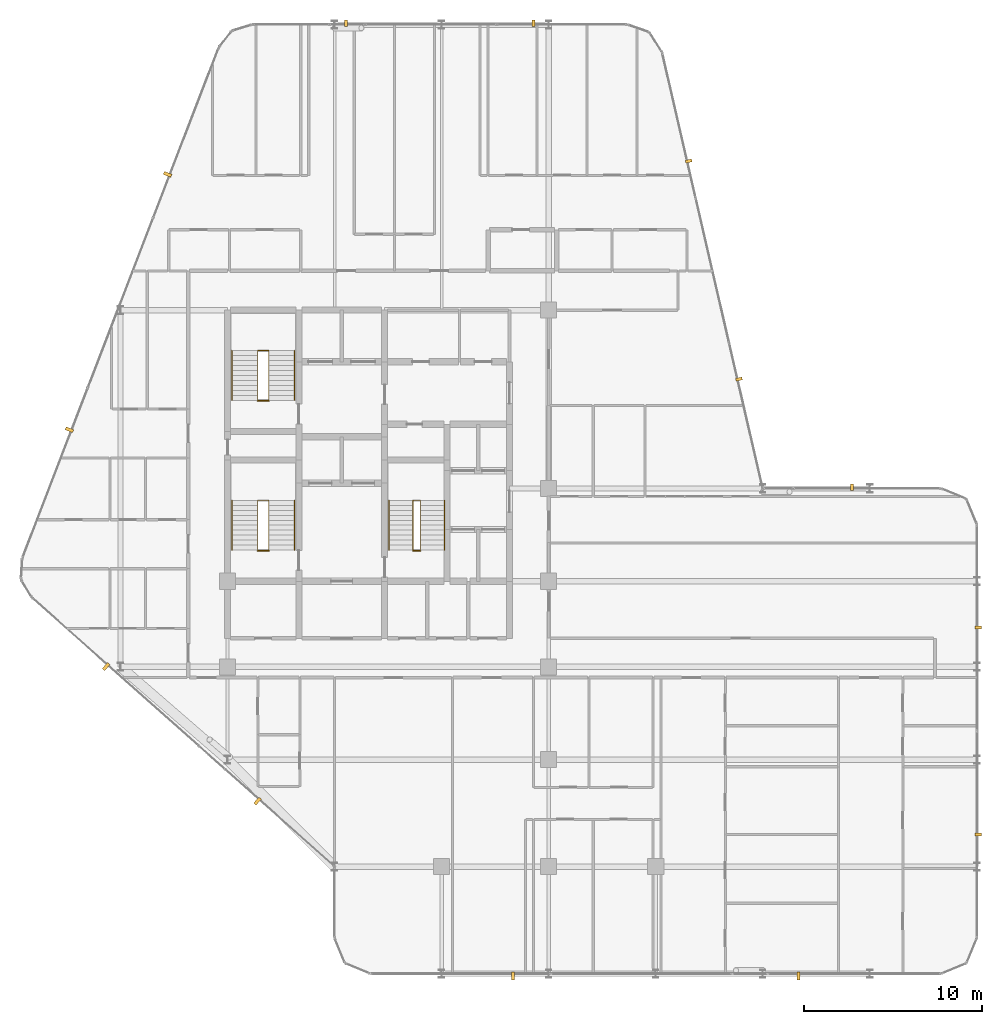
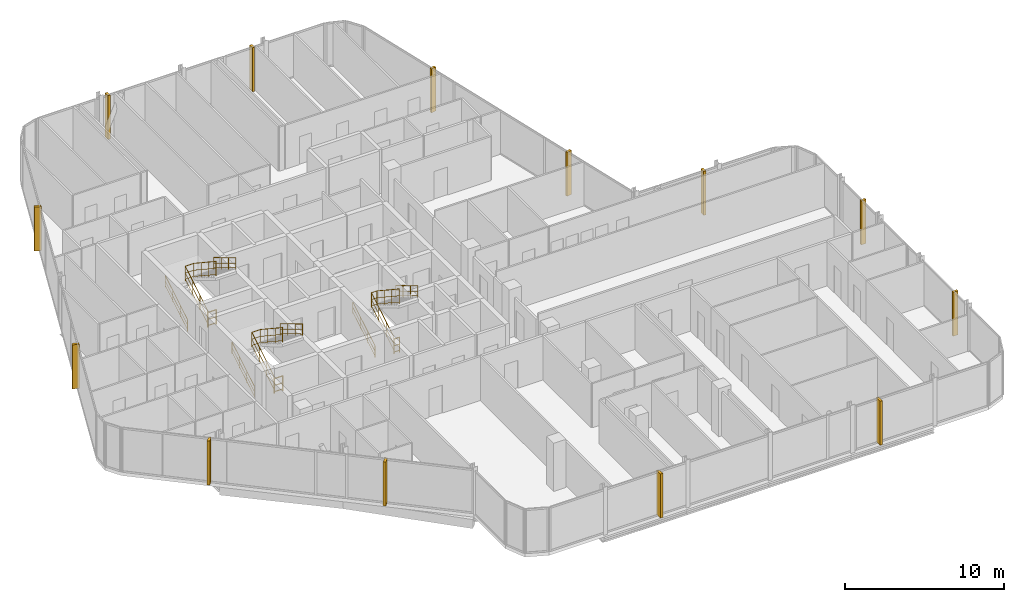
# One storey, part 29 of 29: 13 coverings, 12 railings.
"""IFC4 building model written with IfcOpenShell, lengths in metres."""

from ifc_helpers import new_model, si_unit, direction, frame, origin, origin_2d, place, context, subcontext, project, spatial, rectangle, circle, extrude, material, layer, layer_set, type_object, element, save


model = new_model("IFC4")

# Units and contexts
model_context = context("Model", 3, precision=1e-05, world=origin(), true_north=direction((0.0, 1.0)))
body_context = subcontext(model_context, "Body", "Model", "MODEL_VIEW")
ifc_project = project(units=[si_unit("LENGTHUNIT", "METRE"), si_unit("AREAUNIT", "SQUARE_METRE"), si_unit("VOLUMEUNIT", "CUBIC_METRE"), si_unit("PLANEANGLEUNIT", "RADIAN"), si_unit("MASSUNIT", "GRAM", prefix="KILO")], contexts=[model_context])

# Site, building, storey
site_placement = place(None, origin())
site = spatial("IfcSite", under=ifc_project, at=site_placement, CompositionType="ELEMENT")
building_placement = place(site_placement, origin())
building = spatial("IfcBuilding", under=site, at=building_placement, Name="Keshet Zoharim Tower", CompositionType="ELEMENT")
storey_placement = place(building_placement, frame((0.0, 0.0, 203.199951171875)))
storey = spatial("IfcBuildingStorey", under=building, at=storey_placement, Name="L50", CompositionType="ELEMENT", Elevation=203.199951171875)

# Coverings
ifc_material_1 = material(Name="Concrete C50/60 precast", Category="concrete")
covering_type_1 = type_object("IfcCoveringType", Name="FIN-SOL-360", PredefinedType="CLADDING", material=ifc_material_1)
for number, where, z_axis, x_axis, name in (
    (1, (57.080078125, 20.10009765625, 0.0), (0.0, 0.0, 1.0), (0.0, -1.0, 0.0), "L50 Vertical Precast Solar Fin 01"),
    (2, (57.080078125, 8.5, 0.0), (0.0, 0.0, 1.0), (0.0, -1.0, 0.0), "L50 Vertical Precast Solar Fin 02"),
    (3, (21.633056640625, 53.97998046875, 0.0), (0.0, 0.0, 1.0), (1.0, 0.0, 0.0), "L50 Vertical Precast Solar Fin 09"),
    (4, (32.14990234375, 53.97998046875, 0.0), (0.0, 0.0, 1.0), (1.0, 0.0, 0.0), "L50 Vertical Precast Solar Fin 10"),
    (5, (40.845947265625, 46.2548828125, 0.0), (0.0, 0.0, 1.0), (0.224847864369, -0.974393882313, 0.0), "L50 Vertical Precast Solar Fin 11"),
    (6, (43.6669921875, 34.030029296875, 0.0), (0.0, 0.0, 1.0), (0.224847864369, -0.974393882313, 0.0), "L50 Vertical Precast Solar Fin 12"),
    (7, (50.0, 27.97998046875, 0.0), (0.0, 0.0, 1.0), (1.0, 0.0, 0.0), "L50 Vertical Precast Solar Fin 13"),
):
    element("IfcCovering", number, at=place(storey_placement, frame(where, z_axis=z_axis, x_axis=x_axis)), inside=storey, type_object=covering_type_1, Name=name, PredefinedType="CLADDING", context=body_context, shape_type="SweptSolid", body=[
        extrude(rectangle(XDim=0.159912109375, YDim=0.360107421875, at=origin_2d()), origin(), (0.0, 0.0, 1.0), 3.389892578125),
    ])
covering_type_2 = type_object("IfcCoveringType", Name="FIN-SOL-450", PredefinedType="CLADDING", material=ifc_material_1)
for number, where, z_axis, x_axis, name in (
    (8, (47.0, 0.574951171875, 0.0), (0.0, 0.0, 1.0), (-1.0, 0.0, 0.0), "L50 Vertical Precast Solar Fin 03"),
    (9, (31.0, 0.574951171875, 0.0), (0.0, 0.0, 1.0), (-1.0, 0.0, 0.0), "L50 Vertical Precast Solar Fin 04"),
    (10, (16.676025390625, 10.376953125, 0.0), (0.0, 0.0, 1.0), (-0.747409318679, 0.664363838836, 0.0), "L50 Vertical Precast Solar Fin 05"),
    (11, (8.193115234375, 17.9169921875, 0.0), (0.0, 0.0, 1.0), (-0.747409318679, 0.664363838836, 0.0), "L50 Vertical Precast Solar Fin 06"),
    (12, (6.133056640625, 31.194091796875, 0.0), (0.0, 0.0, 1.0), (0.358990003907, 0.933341404361, 0.0), "L50 Vertical Precast Solar Fin 07"),
    (13, (11.637939453125, 45.507080078125, 0.0), (0.0, 0.0, 1.0), (0.358990003907, 0.933341404361, 0.0), "L50 Vertical Precast Solar Fin 08"),
):
    element("IfcCovering", number, at=place(storey_placement, frame(where, z_axis=z_axis, x_axis=x_axis)), inside=storey, type_object=covering_type_2, Name=name, PredefinedType="CLADDING", context=body_context, shape_type="SweptSolid", body=[
        extrude(rectangle(XDim=0.179931640625, YDim=0.449951171875, at=origin_2d()), origin(), (0.0, 0.0, 1.0), 3.389892578125),
    ])

# Railings
ifc_material_2 = material(Name="Steel S355", Category="steel")
ifc_layer_1 = layer(ifc_material_2, 0.050048828125)
ifc_layer_set_1 = layer_set([ifc_layer_1], Name="Steel S355")
railing_type_1 = type_object("IfcRailingType", Name="RL-HND-092", PredefinedType="HANDRAIL", material=ifc_layer_set_1)
railing_1_placement = place(storey_placement, frame((15.239990234375, 24.43994140625, 0.168212890625)))
element("IfcRailing", 14, at=railing_1_placement, inside=storey, type_object=railing_type_1, Name="L50 ST-01 Flight 1 Wall Handrail", PredefinedType="HANDRAIL", context=body_context, shape_type="SweptSolid", body=[
    extrude(circle(Radius=0.02392578125, at=origin_2d()), frame((0.0, 0.0, 0.89599609375), z_axis=(0.0, 0.857242210791, 0.514913383045), x_axis=(-1.0, 0.0, 0.0)), (0.0, 0.0, 1.0), 3.266357421875),
    extrude(circle(Radius=0.01611328125, at=origin_2d()), frame((0.0, 0.0, 0.478271484375), z_axis=(0.0, 0.857242210791, 0.514913383045), x_axis=(-1.0, 0.0, 0.0)), (0.0, 0.0, 1.0), 3.266357421875),
    extrude(circle(Radius=0.01611328125, at=origin_2d()), frame((0.0, 0.0, 0.1201171875), z_axis=(0.0, 0.857242210791, 0.514913383045), x_axis=(-1.0, 0.0, 0.0)), (0.0, 0.0, 1.0), 3.266357421875),
    extrude(circle(Radius=0.02099609375, at=origin_2d()), origin(), (0.0, 0.0, 1.0), 0.871826171875),
    extrude(circle(Radius=0.02099609375, at=origin_2d()), frame((0.0, 0.933349609375, 0.560546875)), (0.0, 0.0, 1.0), 0.871826171875),
    extrude(circle(Radius=0.02099609375, at=origin_2d()), frame((0.0, 1.86669921875, 1.121337890625)), (0.0, 0.0, 1.0), 0.871826171875),
    extrude(circle(Radius=0.02099609375, at=origin_2d()), frame((0.0, 2.800048828125, 1.681884765625)), (0.0, 0.0, 1.0), 0.871826171875),
])
railing_2_placement = place(storey_placement, frame((18.760009765625, 27.239990234375, 2.018310546875)))
element("IfcRailing", 15, at=railing_2_placement, inside=storey, type_object=railing_type_1, Name="L50 ST-01 Flight 2 Wall Handrail", PredefinedType="HANDRAIL", context=body_context, shape_type="SweptSolid", body=[
    extrude(circle(Radius=0.02392578125, at=origin_2d()), frame((0.0, 0.0, 0.89599609375), z_axis=(0.0, -0.857275202839, 0.514858452973), x_axis=(1.0, 0.0, 0.0)), (0.0, 0.0, 1.0), 3.26611328125),
    extrude(circle(Radius=0.01611328125, at=origin_2d()), frame((0.0, 0.0, 0.478271484375), z_axis=(0.0, -0.857275202839, 0.514858452973), x_axis=(1.0, 0.0, 0.0)), (0.0, 0.0, 1.0), 3.26611328125),
    extrude(circle(Radius=0.01611328125, at=origin_2d()), frame((0.0, 0.0, 0.1201171875), z_axis=(0.0, -0.857275202839, 0.514858452973), x_axis=(1.0, 0.0, 0.0)), (0.0, 0.0, 1.0), 3.26611328125),
    extrude(circle(Radius=0.02099609375, at=origin_2d()), origin(), (0.0, 0.0, 1.0), 0.871826171875),
    extrude(circle(Radius=0.02099609375, at=origin_2d()), frame((0.0, -0.933349609375, 0.560546875)), (0.0, 0.0, 1.0), 0.871826171875),
    extrude(circle(Radius=0.02099609375, at=origin_2d()), frame((0.0, -1.86669921875, 1.12109375)), (0.0, 0.0, 1.0), 0.871826171875),
    extrude(circle(Radius=0.02099609375, at=origin_2d()), frame((0.0, -2.800048828125, 1.681640625)), (0.0, 0.0, 1.0), 0.871826171875),
])
railing_3_placement = place(storey_placement, frame((15.239990234375, 32.840087890625, 0.168212890625)))
element("IfcRailing", 16, at=railing_3_placement, inside=storey, type_object=railing_type_1, Name="L50 ST-02 Flight 1 Wall Handrail", PredefinedType="HANDRAIL", context=body_context, shape_type="SweptSolid", body=[
    extrude(circle(Radius=0.02392578125, at=origin_2d()), frame((0.0, 0.0, 0.89599609375), z_axis=(0.0, 0.857222391501, 0.514946377315), x_axis=(-1.0, 0.0, 0.0)), (0.0, 0.0, 1.0), 3.26611328125),
    extrude(circle(Radius=0.01611328125, at=origin_2d()), frame((0.0, 0.0, 0.478271484375), z_axis=(0.0, 0.857222391501, 0.514946377315), x_axis=(-1.0, 0.0, 0.0)), (0.0, 0.0, 1.0), 3.26611328125),
    extrude(circle(Radius=0.01611328125, at=origin_2d()), frame((0.0, 0.0, 0.1201171875), z_axis=(0.0, 0.857222391501, 0.514946377315), x_axis=(-1.0, 0.0, 0.0)), (0.0, 0.0, 1.0), 3.26611328125),
    extrude(circle(Radius=0.02099609375, at=origin_2d()), origin(), (0.0, 0.0, 1.0), 0.871826171875),
    extrude(circle(Radius=0.02099609375, at=origin_2d()), frame((0.0, 0.933349609375, 0.560546875)), (0.0, 0.0, 1.0), 0.871826171875),
    extrude(circle(Radius=0.02099609375, at=origin_2d()), frame((0.0, 1.866455078125, 1.121337890625)), (0.0, 0.0, 1.0), 0.871826171875),
    extrude(circle(Radius=0.02099609375, at=origin_2d()), frame((0.0, 2.7998046875, 1.681884765625)), (0.0, 0.0, 1.0), 0.871826171875),
])
railing_4_placement = place(storey_placement, frame((18.760009765625, 35.639892578125, 2.018310546875)))
element("IfcRailing", 17, at=railing_4_placement, inside=storey, type_object=railing_type_1, Name="L50 ST-02 Flight 2 Wall Handrail", PredefinedType="HANDRAIL", context=body_context, shape_type="SweptSolid", body=[
    extrude(circle(Radius=0.02392578125, at=origin_2d()), frame((0.0, 0.0, 0.89599609375), z_axis=(0.0, -0.857255387014, 0.514891446264), x_axis=(1.0, 0.0, 0.0)), (0.0, 0.0, 1.0), 3.26611328125),
    extrude(circle(Radius=0.01611328125, at=origin_2d()), frame((0.0, 0.0, 0.478271484375), z_axis=(0.0, -0.857255387014, 0.514891446264), x_axis=(1.0, 0.0, 0.0)), (0.0, 0.0, 1.0), 3.26611328125),
    extrude(circle(Radius=0.01611328125, at=origin_2d()), frame((0.0, 0.0, 0.1201171875), z_axis=(0.0, -0.857255387014, 0.514891446264), x_axis=(1.0, 0.0, 0.0)), (0.0, 0.0, 1.0), 3.26611328125),
    extrude(circle(Radius=0.02099609375, at=origin_2d()), origin(), (0.0, 0.0, 1.0), 0.871826171875),
    extrude(circle(Radius=0.02099609375, at=origin_2d()), frame((0.0, -0.933349609375, 0.560546875)), (0.0, 0.0, 1.0), 0.871826171875),
    extrude(circle(Radius=0.02099609375, at=origin_2d()), frame((0.0, -1.866455078125, 1.12109375)), (0.0, 0.0, 1.0), 0.871826171875),
    extrude(circle(Radius=0.02099609375, at=origin_2d()), frame((0.0, -2.7998046875, 1.681640625)), (0.0, 0.0, 1.0), 0.871826171875),
])
railing_5_placement = place(storey_placement, frame((24.0400390625, 24.43994140625, 0.168212890625)))
element("IfcRailing", 18, at=railing_5_placement, inside=storey, type_object=railing_type_1, Name="L50 ST-03 Flight 1 Wall Handrail", PredefinedType="HANDRAIL", context=body_context, shape_type="SweptSolid", body=[
    extrude(circle(Radius=0.02392578125, at=origin_2d()), frame((0.0, 0.0, 0.89599609375), z_axis=(0.0, 0.857242210791, 0.514913383045), x_axis=(-1.0, 0.0, 0.0)), (0.0, 0.0, 1.0), 3.266357421875),
    extrude(circle(Radius=0.01611328125, at=origin_2d()), frame((0.0, 0.0, 0.478271484375), z_axis=(0.0, 0.857242210791, 0.514913383045), x_axis=(-1.0, 0.0, 0.0)), (0.0, 0.0, 1.0), 3.266357421875),
    extrude(circle(Radius=0.01611328125, at=origin_2d()), frame((0.0, 0.0, 0.1201171875), z_axis=(0.0, 0.857242210791, 0.514913383045), x_axis=(-1.0, 0.0, 0.0)), (0.0, 0.0, 1.0), 3.266357421875),
    extrude(circle(Radius=0.02099609375, at=origin_2d()), origin(), (0.0, 0.0, 1.0), 0.871826171875),
    extrude(circle(Radius=0.02099609375, at=origin_2d()), frame((0.0, 0.933349609375, 0.560546875)), (0.0, 0.0, 1.0), 0.871826171875),
    extrude(circle(Radius=0.02099609375, at=origin_2d()), frame((0.0, 1.86669921875, 1.121337890625)), (0.0, 0.0, 1.0), 0.871826171875),
    extrude(circle(Radius=0.02099609375, at=origin_2d()), frame((0.0, 2.800048828125, 1.681884765625)), (0.0, 0.0, 1.0), 0.871826171875),
])
railing_6_placement = place(storey_placement, frame((27.159912109375, 27.239990234375, 2.018310546875)))
element("IfcRailing", 19, at=railing_6_placement, inside=storey, type_object=railing_type_1, Name="L50 ST-03 Flight 2 Wall Handrail", PredefinedType="HANDRAIL", context=body_context, shape_type="SweptSolid", body=[
    extrude(circle(Radius=0.02392578125, at=origin_2d()), frame((0.0, 0.0, 0.89599609375), z_axis=(0.0, -0.857275202839, 0.514858452973), x_axis=(1.0, 0.0, 0.0)), (0.0, 0.0, 1.0), 3.26611328125),
    extrude(circle(Radius=0.01611328125, at=origin_2d()), frame((0.0, 0.0, 0.478271484375), z_axis=(0.0, -0.857275202839, 0.514858452973), x_axis=(1.0, 0.0, 0.0)), (0.0, 0.0, 1.0), 3.26611328125),
    extrude(circle(Radius=0.01611328125, at=origin_2d()), frame((0.0, 0.0, 0.1201171875), z_axis=(0.0, -0.857275202839, 0.514858452973), x_axis=(1.0, 0.0, 0.0)), (0.0, 0.0, 1.0), 3.26611328125),
    extrude(circle(Radius=0.02099609375, at=origin_2d()), origin(), (0.0, 0.0, 1.0), 0.871826171875),
    extrude(circle(Radius=0.02099609375, at=origin_2d()), frame((0.0, -0.933349609375, 0.560546875)), (0.0, 0.0, 1.0), 0.871826171875),
    extrude(circle(Radius=0.02099609375, at=origin_2d()), frame((0.0, -1.86669921875, 1.12109375)), (0.0, 0.0, 1.0), 0.871826171875),
    extrude(circle(Radius=0.02099609375, at=origin_2d()), frame((0.0, -2.800048828125, 1.681640625)), (0.0, 0.0, 1.0), 0.871826171875),
])
ifc_layer_2 = layer(ifc_material_2, 0.06005859375)
ifc_layer_set_2 = layer_set([ifc_layer_2], Name="Steel S355")
railing_type_2 = type_object("IfcRailingType", Name="RL-STG-115", PredefinedType="GUARDRAIL", material=ifc_layer_set_2)
railing_7_placement = place(storey_placement, frame((16.68994140625, 24.43994140625, 0.168212890625)))
element("IfcRailing", 20, at=railing_7_placement, inside=storey, type_object=railing_type_2, Name="L50 ST-01 Inner Well Guardrail", PredefinedType="GUARDRAIL", context=body_context, shape_type="SweptSolid", body=[
    extrude(circle(Radius=0.02392578125, at=origin_2d()), frame((0.0, 0.0, 1.1259765625), z_axis=(0.0, 0.857242210791, 0.514913383045), x_axis=(-1.0, 0.0, 0.0)), (0.0, 0.0, 1.0), 3.266357421875),
    extrude(circle(Radius=0.01611328125, at=origin_2d()), frame((0.0, 0.0, 0.597900390625), z_axis=(0.0, 0.857242210791, 0.514913383045), x_axis=(-1.0, 0.0, 0.0)), (0.0, 0.0, 1.0), 3.266357421875),
    extrude(circle(Radius=0.01611328125, at=origin_2d()), frame((0.0, 0.0, 0.1201171875), z_axis=(0.0, 0.857242210791, 0.514913383045), x_axis=(-1.0, 0.0, 0.0)), (0.0, 0.0, 1.0), 3.266357421875),
    extrude(circle(Radius=0.02392578125, at=origin_2d()), frame((0.0, 2.800048828125, 2.8076171875), z_axis=(1.0, 0.0, 0.0), x_axis=(0.0, 1.0, 0.0)), (0.0, 0.0, 1.0), 0.6201171875),
    extrude(circle(Radius=0.01611328125, at=origin_2d()), frame((0.0, 2.800048828125, 2.27978515625), z_axis=(1.0, 0.0, 0.0), x_axis=(0.0, 1.0, 0.0)), (0.0, 0.0, 1.0), 0.6201171875),
    extrude(circle(Radius=0.01611328125, at=origin_2d()), frame((0.0, 2.800048828125, 1.802001953125), z_axis=(1.0, 0.0, 0.0), x_axis=(0.0, 1.0, 0.0)), (0.0, 0.0, 1.0), 0.6201171875),
    extrude(circle(Radius=0.02392578125, at=origin_2d()), frame((0.6201171875, 2.800048828125, 2.8076171875), z_axis=(0.0, -0.83435981716, 0.551220187865), x_axis=(1.0, 0.0, 0.0)), (0.0, 0.0, 1.0), 3.35595703125),
    extrude(circle(Radius=0.01611328125, at=origin_2d()), frame((0.6201171875, 2.800048828125, 2.27978515625), z_axis=(0.0, -0.83435981716, 0.551220187865), x_axis=(1.0, 0.0, 0.0)), (0.0, 0.0, 1.0), 3.35595703125),
    extrude(circle(Radius=0.01611328125, at=origin_2d()), frame((0.6201171875, 2.800048828125, 1.802001953125), z_axis=(0.0, -0.83435981716, 0.551220187865), x_axis=(1.0, 0.0, 0.0)), (0.0, 0.0, 1.0), 3.35595703125),
    extrude(circle(Radius=0.02099609375, at=origin_2d()), origin(), (0.0, 0.0, 1.0), 1.101806640625),
    extrude(circle(Radius=0.02099609375, at=origin_2d()), frame((0.0, 0.933349609375, 0.560546875)), (0.0, 0.0, 1.0), 1.101806640625),
    extrude(circle(Radius=0.02099609375, at=origin_2d()), frame((0.0, 1.86669921875, 1.121337890625)), (0.0, 0.0, 1.0), 1.101806640625),
    extrude(circle(Radius=0.02099609375, at=origin_2d()), frame((0.0, 2.800048828125, 1.681884765625)), (0.0, 0.0, 1.0), 1.101806640625),
    extrude(circle(Radius=0.02099609375, at=origin_2d()), frame((0.6201171875, 2.800048828125, 1.681884765625)), (0.0, 0.0, 1.0), 1.101806640625),
    extrude(circle(Radius=0.02099609375, at=origin_2d()), frame((0.6201171875, 1.86669921875, 2.298583984375)), (0.0, 0.0, 1.0), 1.101806640625),
    extrude(circle(Radius=0.02099609375, at=origin_2d()), frame((0.6201171875, 0.933349609375, 2.9150390625)), (0.0, 0.0, 1.0), 1.101806640625),
    extrude(circle(Radius=0.02099609375, at=origin_2d()), frame((0.6201171875, 0.0, 3.53173828125)), (0.0, 0.0, 1.0), 1.101806640625),
])
railing_8_placement = place(storey_placement, frame((16.68994140625, 24.409912109375, 0.0)))
element("IfcRailing", 21, at=railing_8_placement, inside=storey, type_object=railing_type_2, Name="L50 ST-01 Stairwell Floor Guardrail", PredefinedType="GUARDRAIL", context=body_context, shape_type="SweptSolid", body=[
    extrude(circle(Radius=0.02392578125, at=origin_2d()), frame((0.0, 0.0, 1.1259765625), z_axis=(1.0, 0.0, 0.0), x_axis=(0.0, 1.0, 0.0)), (0.0, 0.0, 1.0), 0.6201171875),
    extrude(circle(Radius=0.01611328125, at=origin_2d()), frame((0.0, 0.0, 0.597900390625), z_axis=(1.0, 0.0, 0.0), x_axis=(0.0, 1.0, 0.0)), (0.0, 0.0, 1.0), 0.6201171875),
    extrude(circle(Radius=0.01611328125, at=origin_2d()), frame((0.0, 0.0, 0.1201171875), z_axis=(1.0, 0.0, 0.0), x_axis=(0.0, 1.0, 0.0)), (0.0, 0.0, 1.0), 0.6201171875),
    extrude(circle(Radius=0.02099609375, at=origin_2d()), origin(), (0.0, 0.0, 1.0), 1.101806640625),
    extrude(circle(Radius=0.02099609375, at=origin_2d()), frame((0.6201171875, 0.0, 0.0)), (0.0, 0.0, 1.0), 1.101806640625),
])
railing_9_placement = place(storey_placement, frame((16.68994140625, 32.840087890625, 0.168212890625)))
element("IfcRailing", 22, at=railing_9_placement, inside=storey, type_object=railing_type_2, Name="L50 ST-02 Inner Well Guardrail", PredefinedType="GUARDRAIL", context=body_context, shape_type="SweptSolid", body=[
    extrude(circle(Radius=0.02392578125, at=origin_2d()), frame((0.0, 0.0, 1.1259765625), z_axis=(0.0, 0.857222391501, 0.514946377315), x_axis=(-1.0, 0.0, 0.0)), (0.0, 0.0, 1.0), 3.26611328125),
    extrude(circle(Radius=0.01611328125, at=origin_2d()), frame((0.0, 0.0, 0.597900390625), z_axis=(0.0, 0.857222391501, 0.514946377315), x_axis=(-1.0, 0.0, 0.0)), (0.0, 0.0, 1.0), 3.26611328125),
    extrude(circle(Radius=0.01611328125, at=origin_2d()), frame((0.0, 0.0, 0.1201171875), z_axis=(0.0, 0.857222391501, 0.514946377315), x_axis=(-1.0, 0.0, 0.0)), (0.0, 0.0, 1.0), 3.26611328125),
    extrude(circle(Radius=0.02392578125, at=origin_2d()), frame((0.0, 2.7998046875, 2.8076171875), z_axis=(1.0, 0.0, 0.0), x_axis=(0.0, 1.0, 0.0)), (0.0, 0.0, 1.0), 0.6201171875),
    extrude(circle(Radius=0.01611328125, at=origin_2d()), frame((0.0, 2.7998046875, 2.27978515625), z_axis=(1.0, 0.0, 0.0), x_axis=(0.0, 1.0, 0.0)), (0.0, 0.0, 1.0), 0.6201171875),
    extrude(circle(Radius=0.01611328125, at=origin_2d()), frame((0.0, 2.7998046875, 1.802001953125), z_axis=(1.0, 0.0, 0.0), x_axis=(0.0, 1.0, 0.0)), (0.0, 0.0, 1.0), 0.6201171875),
    extrude(circle(Radius=0.02392578125, at=origin_2d()), frame((0.6201171875, 2.7998046875, 2.8076171875), z_axis=(0.0, -0.834337710781, 0.551253647941), x_axis=(1.0, 0.0, 0.0)), (0.0, 0.0, 1.0), 3.355712890625),
    extrude(circle(Radius=0.01611328125, at=origin_2d()), frame((0.6201171875, 2.7998046875, 2.27978515625), z_axis=(0.0, -0.834337710781, 0.551253647941), x_axis=(1.0, 0.0, 0.0)), (0.0, 0.0, 1.0), 3.355712890625),
    extrude(circle(Radius=0.01611328125, at=origin_2d()), frame((0.6201171875, 2.7998046875, 1.802001953125), z_axis=(0.0, -0.834337710781, 0.551253647941), x_axis=(1.0, 0.0, 0.0)), (0.0, 0.0, 1.0), 3.355712890625),
    extrude(circle(Radius=0.02099609375, at=origin_2d()), origin(), (0.0, 0.0, 1.0), 1.101806640625),
    extrude(circle(Radius=0.02099609375, at=origin_2d()), frame((0.0, 0.933349609375, 0.560546875)), (0.0, 0.0, 1.0), 1.101806640625),
    extrude(circle(Radius=0.02099609375, at=origin_2d()), frame((0.0, 1.866455078125, 1.121337890625)), (0.0, 0.0, 1.0), 1.101806640625),
    extrude(circle(Radius=0.02099609375, at=origin_2d()), frame((0.0, 2.7998046875, 1.681884765625)), (0.0, 0.0, 1.0), 1.101806640625),
    extrude(circle(Radius=0.02099609375, at=origin_2d()), frame((0.6201171875, 2.7998046875, 1.681884765625)), (0.0, 0.0, 1.0), 1.101806640625),
    extrude(circle(Radius=0.02099609375, at=origin_2d()), frame((0.6201171875, 1.866455078125, 2.298583984375)), (0.0, 0.0, 1.0), 1.101806640625),
    extrude(circle(Radius=0.02099609375, at=origin_2d()), frame((0.6201171875, 0.933349609375, 2.9150390625)), (0.0, 0.0, 1.0), 1.101806640625),
    extrude(circle(Radius=0.02099609375, at=origin_2d()), frame((0.6201171875, 0.0, 3.53173828125)), (0.0, 0.0, 1.0), 1.101806640625),
])
railing_10_placement = place(storey_placement, frame((16.68994140625, 32.81005859375, 0.0)))
element("IfcRailing", 23, at=railing_10_placement, inside=storey, type_object=railing_type_2, Name="L50 ST-02 Stairwell Floor Guardrail", PredefinedType="GUARDRAIL", context=body_context, shape_type="SweptSolid", body=[
    extrude(circle(Radius=0.02392578125, at=origin_2d()), frame((0.0, 0.0, 1.1259765625), z_axis=(1.0, 0.0, 0.0), x_axis=(0.0, 1.0, 0.0)), (0.0, 0.0, 1.0), 0.6201171875),
    extrude(circle(Radius=0.01611328125, at=origin_2d()), frame((0.0, 0.0, 0.597900390625), z_axis=(1.0, 0.0, 0.0), x_axis=(0.0, 1.0, 0.0)), (0.0, 0.0, 1.0), 0.6201171875),
    extrude(circle(Radius=0.01611328125, at=origin_2d()), frame((0.0, 0.0, 0.1201171875), z_axis=(1.0, 0.0, 0.0), x_axis=(0.0, 1.0, 0.0)), (0.0, 0.0, 1.0), 0.6201171875),
    extrude(circle(Radius=0.02099609375, at=origin_2d()), origin(), (0.0, 0.0, 1.0), 1.101806640625),
    extrude(circle(Radius=0.02099609375, at=origin_2d()), frame((0.6201171875, 0.0, 0.0)), (0.0, 0.0, 1.0), 1.101806640625),
])
railing_11_placement = place(storey_placement, frame((25.39990234375, 24.43994140625, 0.168212890625)))
element("IfcRailing", 24, at=railing_11_placement, inside=storey, type_object=railing_type_2, Name="L50 ST-03 Inner Well Guardrail", PredefinedType="GUARDRAIL", context=body_context, shape_type="SweptSolid", body=[
    extrude(circle(Radius=0.02392578125, at=origin_2d()), frame((0.0, 0.0, 1.1259765625), z_axis=(0.0, 0.857242210791, 0.514913383045), x_axis=(-1.0, 0.0, 0.0)), (0.0, 0.0, 1.0), 3.266357421875),
    extrude(circle(Radius=0.01611328125, at=origin_2d()), frame((0.0, 0.0, 0.597900390625), z_axis=(0.0, 0.857242210791, 0.514913383045), x_axis=(-1.0, 0.0, 0.0)), (0.0, 0.0, 1.0), 3.266357421875),
    extrude(circle(Radius=0.01611328125, at=origin_2d()), frame((0.0, 0.0, 0.1201171875), z_axis=(0.0, 0.857242210791, 0.514913383045), x_axis=(-1.0, 0.0, 0.0)), (0.0, 0.0, 1.0), 3.266357421875),
    extrude(circle(Radius=0.02392578125, at=origin_2d()), frame((0.0, 2.800048828125, 2.8076171875), z_axis=(1.0, 0.0, 0.0), x_axis=(0.0, 1.0, 0.0)), (0.0, 0.0, 1.0), 0.400146484375),
    extrude(circle(Radius=0.01611328125, at=origin_2d()), frame((0.0, 2.800048828125, 2.27978515625), z_axis=(1.0, 0.0, 0.0), x_axis=(0.0, 1.0, 0.0)), (0.0, 0.0, 1.0), 0.400146484375),
    extrude(circle(Radius=0.01611328125, at=origin_2d()), frame((0.0, 2.800048828125, 1.802001953125), z_axis=(1.0, 0.0, 0.0), x_axis=(0.0, 1.0, 0.0)), (0.0, 0.0, 1.0), 0.400146484375),
    extrude(circle(Radius=0.02392578125, at=origin_2d()), frame((0.400146484375, 2.800048828125, 2.8076171875), z_axis=(0.0, -0.83435981716, 0.551220187865), x_axis=(1.0, 0.0, 0.0)), (0.0, 0.0, 1.0), 3.35595703125),
    extrude(circle(Radius=0.01611328125, at=origin_2d()), frame((0.400146484375, 2.800048828125, 2.27978515625), z_axis=(0.0, -0.83435981716, 0.551220187865), x_axis=(1.0, 0.0, 0.0)), (0.0, 0.0, 1.0), 3.35595703125),
    extrude(circle(Radius=0.01611328125, at=origin_2d()), frame((0.400146484375, 2.800048828125, 1.802001953125), z_axis=(0.0, -0.83435981716, 0.551220187865), x_axis=(1.0, 0.0, 0.0)), (0.0, 0.0, 1.0), 3.35595703125),
    extrude(circle(Radius=0.02099609375, at=origin_2d()), origin(), (0.0, 0.0, 1.0), 1.101806640625),
    extrude(circle(Radius=0.02099609375, at=origin_2d()), frame((0.0, 0.933349609375, 0.560546875)), (0.0, 0.0, 1.0), 1.101806640625),
    extrude(circle(Radius=0.02099609375, at=origin_2d()), frame((0.0, 1.86669921875, 1.121337890625)), (0.0, 0.0, 1.0), 1.101806640625),
    extrude(circle(Radius=0.02099609375, at=origin_2d()), frame((0.0, 2.800048828125, 1.681884765625)), (0.0, 0.0, 1.0), 1.101806640625),
    extrude(circle(Radius=0.02099609375, at=origin_2d()), frame((0.400146484375, 2.800048828125, 1.681884765625)), (0.0, 0.0, 1.0), 1.101806640625),
    extrude(circle(Radius=0.02099609375, at=origin_2d()), frame((0.400146484375, 1.86669921875, 2.298583984375)), (0.0, 0.0, 1.0), 1.101806640625),
    extrude(circle(Radius=0.02099609375, at=origin_2d()), frame((0.400146484375, 0.933349609375, 2.9150390625)), (0.0, 0.0, 1.0), 1.101806640625),
    extrude(circle(Radius=0.02099609375, at=origin_2d()), frame((0.400146484375, 0.0, 3.53173828125)), (0.0, 0.0, 1.0), 1.101806640625),
])
railing_12_placement = place(storey_placement, frame((25.39990234375, 24.409912109375, 0.0)))
element("IfcRailing", 25, at=railing_12_placement, inside=storey, type_object=railing_type_2, Name="L50 ST-03 Stairwell Floor Guardrail", PredefinedType="GUARDRAIL", context=body_context, shape_type="SweptSolid", body=[
    extrude(circle(Radius=0.02392578125, at=origin_2d()), frame((0.0, 0.0, 1.1259765625), z_axis=(1.0, 0.0, 0.0), x_axis=(0.0, 1.0, 0.0)), (0.0, 0.0, 1.0), 0.400146484375),
    extrude(circle(Radius=0.01611328125, at=origin_2d()), frame((0.0, 0.0, 0.597900390625), z_axis=(1.0, 0.0, 0.0), x_axis=(0.0, 1.0, 0.0)), (0.0, 0.0, 1.0), 0.400146484375),
    extrude(circle(Radius=0.01611328125, at=origin_2d()), frame((0.0, 0.0, 0.1201171875), z_axis=(1.0, 0.0, 0.0), x_axis=(0.0, 1.0, 0.0)), (0.0, 0.0, 1.0), 0.400146484375),
    extrude(circle(Radius=0.02099609375, at=origin_2d()), origin(), (0.0, 0.0, 1.0), 1.101806640625),
    extrude(circle(Radius=0.02099609375, at=origin_2d()), frame((0.400146484375, 0.0, 0.0)), (0.0, 0.0, 1.0), 1.101806640625),
])

save(model, "model.ifc")
